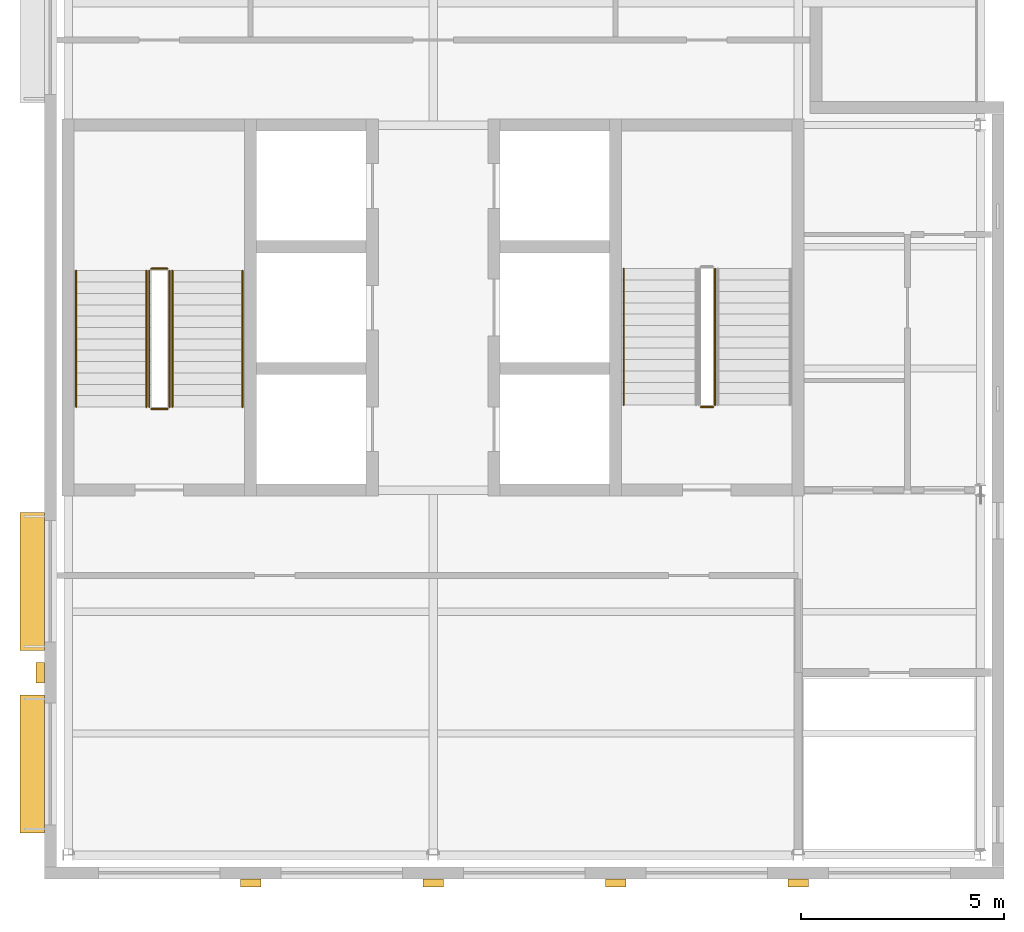
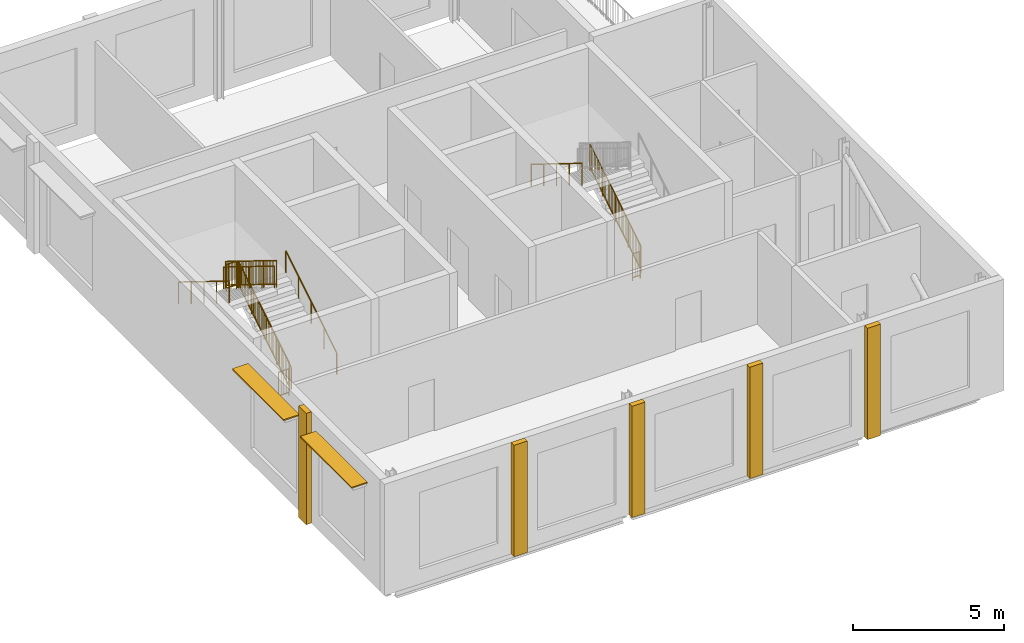
# One storey, part 4 of 5: 11 railings, 5 coverings, 2 shading devices.
"""IFC4 building model written with IfcOpenShell, lengths in metres."""

from ifc_helpers import new_model, si_unit, direction, frame, origin, origin_2d, place, context, subcontext, project, spatial, rectangle, circle, extrude, material, layer, layer_set, type_object, element, save


model = new_model("IFC4")

# Units and contexts
model_context = context("Model", 3, precision=1e-05, world=origin(), true_north=direction((0.0, 1.0)))
body_context = subcontext(model_context, "Body", "Model", "MODEL_VIEW")
ifc_project = project(units=[si_unit("LENGTHUNIT", "METRE"), si_unit("AREAUNIT", "SQUARE_METRE"), si_unit("VOLUMEUNIT", "CUBIC_METRE"), si_unit("PLANEANGLEUNIT", "RADIAN"), si_unit("MASSUNIT", "GRAM", prefix="KILO")], contexts=[model_context])

# Site, building, storey
site_placement = place(None, origin())
site = spatial("IfcSite", under=ifc_project, at=site_placement, CompositionType="ELEMENT")
building_placement = place(site_placement, origin())
building = spatial("IfcBuilding", under=site, at=building_placement, Name="Hortulan Conservatory and Botanical Research Centre", CompositionType="ELEMENT")
storey_placement = place(building_placement, frame((0.0, 0.0, 65.39990234375)))
storey = spatial("IfcBuildingStorey", under=building, at=storey_placement, Name="L15", CompositionType="ELEMENT", Elevation=65.39990234375)

# Shading devices
ifc_material_1 = material(Name="Bronze-finished perforated aluminium", Category="aluminium")
ifc_layer_1 = layer(ifc_material_1, 0.050048828125)
ifc_layer_set_1 = layer_set([ifc_layer_1], Name="Brise-soleil Blade 600x50")
shading_device_type = type_object("IfcShadingDeviceType", Name="Brise-soleil Blade 600x50", PredefinedType="USERDEFINED", material=ifc_layer_set_1)
for number, where, z_axis, x_axis, name in (
    (1, (8.114013671875, 2.25, 3.85009765625), (0.0, 0.0, 1.0), (0.0, 1.0, 0.0), "Brise-soleil blade"),
    (2, (8.114013671875, 6.75, 3.85009765625), (0.0, 0.0, 1.0), (0.0, 1.0, 0.0), "Brise-soleil blade"),
):
    element("IfcShadingDevice", number, at=place(storey_placement, frame(where, z_axis=z_axis, x_axis=x_axis)), inside=storey, type_object=shading_device_type, Name=name, ObjectType="Brise-soleil blade", PredefinedType="USERDEFINED", context=body_context, shape_type="SweptSolid", body=[
        extrude(rectangle(XDim=3.39990234375, YDim=0.60009765625, at=origin_2d()), origin(), (0.0, 0.0, 1.0), 0.050048828125),
    ])

# Railings
ifc_material_2 = material(Name="Steel balustrade, bronze-charcoal paint", Category="steel")
railing_type_1 = type_object("IfcRailingType", Name="Stair Guard 1100", PredefinedType="GUARDRAIL", material=ifc_material_2)
railing_1_placement = place(storey_placement, frame((11.5, 11.050048828125, 0.173095703125)))
element("IfcRailing", 3, at=railing_1_placement, inside=storey, type_object=railing_type_1, Name="Guard T1 L15 stair 1", PredefinedType="GUARDRAIL", context=body_context, shape_type="SweptSolid", body=[
    extrude(circle(Radius=0.02392578125, at=origin_2d()), frame((0.0, 0.0, 1.076171875), z_axis=(0.0, 0.850606129759, 0.525803396734), x_axis=(-1.0, 0.0, 0.0)), (0.0, 0.0, 1.0), 3.949951171875),
    extrude(circle(Radius=0.02392578125, at=origin_2d()), frame((0.0, 0.0, 0.1240234375), z_axis=(0.0, 0.850606129759, 0.525803396734), x_axis=(-1.0, 0.0, 0.0)), (0.0, 0.0, 1.0), 3.949951171875),
    extrude(circle(Radius=0.008056640625, at=origin_2d()), frame((0.0, 0.09326171875, 0.205810546875)), (0.0, 0.0, 1.0), 0.90380859375),
    extrude(circle(Radius=0.008056640625, at=origin_2d()), frame((0.0, 0.186767578125, 0.263671875)), (0.0, 0.0, 1.0), 0.90380859375),
    extrude(circle(Radius=0.008056640625, at=origin_2d()), frame((0.0, 0.280029296875, 0.3212890625)), (0.0, 0.0, 1.0), 0.90380859375),
    extrude(circle(Radius=0.008056640625, at=origin_2d()), frame((0.0, 0.373291015625, 0.37890625)), (0.0, 0.0, 1.0), 0.90380859375),
    extrude(circle(Radius=0.008056640625, at=origin_2d()), frame((0.0, 0.466552734375, 0.436767578125)), (0.0, 0.0, 1.0), 0.90380859375),
    extrude(circle(Radius=0.008056640625, at=origin_2d()), frame((0.0, 0.56005859375, 0.494384765625)), (0.0, 0.0, 1.0), 0.90380859375),
    extrude(circle(Radius=0.008056640625, at=origin_2d()), frame((0.0, 0.6533203125, 0.552001953125)), (0.0, 0.0, 1.0), 0.90380859375),
    extrude(circle(Radius=0.008056640625, at=origin_2d()), frame((0.0, 0.74658203125, 0.609619140625)), (0.0, 0.0, 1.0), 0.90380859375),
    extrude(circle(Radius=0.008056640625, at=origin_2d()), frame((0.0, 0.83984375, 0.66748046875)), (0.0, 0.0, 1.0), 0.90380859375),
    extrude(circle(Radius=0.008056640625, at=origin_2d()), frame((0.0, 0.933349609375, 0.72509765625)), (0.0, 0.0, 1.0), 0.90380859375),
    extrude(circle(Radius=0.008056640625, at=origin_2d()), frame((0.0, 1.026611328125, 0.78271484375)), (0.0, 0.0, 1.0), 0.90380859375),
    extrude(circle(Radius=0.008056640625, at=origin_2d()), frame((0.0, 1.119873046875, 0.840576171875)), (0.0, 0.0, 1.0), 0.90380859375),
    extrude(circle(Radius=0.008056640625, at=origin_2d()), frame((0.0, 1.21337890625, 0.898193359375)), (0.0, 0.0, 1.0), 0.90380859375),
    extrude(circle(Radius=0.008056640625, at=origin_2d()), frame((0.0, 1.306640625, 0.955810546875)), (0.0, 0.0, 1.0), 0.90380859375),
    extrude(circle(Radius=0.008056640625, at=origin_2d()), frame((0.0, 1.39990234375, 1.013671875)), (0.0, 0.0, 1.0), 0.90380859375),
    extrude(circle(Radius=0.008056640625, at=origin_2d()), frame((0.0, 1.4931640625, 1.0712890625)), (0.0, 0.0, 1.0), 0.90380859375),
    extrude(circle(Radius=0.008056640625, at=origin_2d()), frame((0.0, 1.586669921875, 1.12890625)), (0.0, 0.0, 1.0), 0.90380859375),
    extrude(circle(Radius=0.008056640625, at=origin_2d()), frame((0.0, 1.679931640625, 1.1865234375)), (0.0, 0.0, 1.0), 0.90380859375),
    extrude(circle(Radius=0.008056640625, at=origin_2d()), frame((0.0, 1.773193359375, 1.244384765625)), (0.0, 0.0, 1.0), 0.90380859375),
    extrude(circle(Radius=0.008056640625, at=origin_2d()), frame((0.0, 1.86669921875, 1.302001953125)), (0.0, 0.0, 1.0), 0.90380859375),
    extrude(circle(Radius=0.008056640625, at=origin_2d()), frame((0.0, 1.9599609375, 1.359619140625)), (0.0, 0.0, 1.0), 0.90380859375),
    extrude(circle(Radius=0.008056640625, at=origin_2d()), frame((0.0, 2.05322265625, 1.41748046875)), (0.0, 0.0, 1.0), 0.90380859375),
    extrude(circle(Radius=0.008056640625, at=origin_2d()), frame((0.0, 2.146484375, 1.47509765625)), (0.0, 0.0, 1.0), 0.90380859375),
    extrude(circle(Radius=0.008056640625, at=origin_2d()), frame((0.0, 2.239990234375, 1.53271484375)), (0.0, 0.0, 1.0), 0.90380859375),
    extrude(circle(Radius=0.008056640625, at=origin_2d()), frame((0.0, 2.333251953125, 1.590576171875)), (0.0, 0.0, 1.0), 0.90380859375),
    extrude(circle(Radius=0.008056640625, at=origin_2d()), frame((0.0, 2.426513671875, 1.648193359375)), (0.0, 0.0, 1.0), 0.90380859375),
    extrude(circle(Radius=0.008056640625, at=origin_2d()), frame((0.0, 2.52001953125, 1.705810546875)), (0.0, 0.0, 1.0), 0.90380859375),
    extrude(circle(Radius=0.008056640625, at=origin_2d()), frame((0.0, 2.61328125, 1.763671875)), (0.0, 0.0, 1.0), 0.90380859375),
    extrude(circle(Radius=0.008056640625, at=origin_2d()), frame((0.0, 2.70654296875, 1.8212890625)), (0.0, 0.0, 1.0), 0.90380859375),
    extrude(circle(Radius=0.008056640625, at=origin_2d()), frame((0.0, 2.7998046875, 1.87890625)), (0.0, 0.0, 1.0), 0.90380859375),
    extrude(circle(Radius=0.008056640625, at=origin_2d()), frame((0.0, 2.893310546875, 1.9365234375)), (0.0, 0.0, 1.0), 0.90380859375),
    extrude(circle(Radius=0.008056640625, at=origin_2d()), frame((0.0, 2.986572265625, 1.994384765625)), (0.0, 0.0, 1.0), 0.90380859375),
    extrude(circle(Radius=0.008056640625, at=origin_2d()), frame((0.0, 3.079833984375, 2.052001953125)), (0.0, 0.0, 1.0), 0.90380859375),
    extrude(circle(Radius=0.008056640625, at=origin_2d()), frame((0.0, 3.173095703125, 2.109619140625)), (0.0, 0.0, 1.0), 0.90380859375),
    extrude(circle(Radius=0.008056640625, at=origin_2d()), frame((0.0, 3.2666015625, 2.16748046875)), (0.0, 0.0, 1.0), 0.90380859375),
    extrude(circle(Radius=0.02099609375, at=origin_2d()), origin(), (0.0, 0.0, 1.0), 1.052001953125),
    extrude(circle(Radius=0.02099609375, at=origin_2d()), frame((0.0, 0.83984375, 0.519287109375)), (0.0, 0.0, 1.0), 1.052001953125),
    extrude(circle(Radius=0.02099609375, at=origin_2d()), frame((0.0, 1.679931640625, 1.03857421875)), (0.0, 0.0, 1.0), 1.052001953125),
    extrude(circle(Radius=0.02099609375, at=origin_2d()), frame((0.0, 2.52001953125, 1.5576171875)), (0.0, 0.0, 1.0), 1.052001953125),
    extrude(circle(Radius=0.02099609375, at=origin_2d()), frame((0.0, 3.35986328125, 2.076904296875)), (0.0, 0.0, 1.0), 1.052001953125),
])
railing_2_placement = place(storey_placement, frame((11.449951171875, 14.4599609375, 2.25)))
element("IfcRailing", 4, at=railing_2_placement, inside=storey, type_object=railing_type_1, Name="Guard T1 L15 stair 2", PredefinedType="GUARDRAIL", context=body_context, shape_type="SweptSolid", body=[
    extrude(circle(Radius=0.02392578125, at=origin_2d()), frame((0.0, 0.0, 1.076171875), z_axis=(-1.0, 0.0, 0.0), x_axis=(0.0, -1.0, 0.0)), (0.0, 0.0, 1.0), 0.39990234375),
    extrude(circle(Radius=0.02392578125, at=origin_2d()), frame((0.0, 0.0, 0.1240234375), z_axis=(-1.0, 0.0, 0.0), x_axis=(0.0, -1.0, 0.0)), (0.0, 0.0, 1.0), 0.39990234375),
    extrude(circle(Radius=0.008056640625, at=origin_2d()), frame((-0.10009765625, 0.0, 0.148193359375)), (0.0, 0.0, 1.0), 0.90380859375),
    extrude(circle(Radius=0.008056640625, at=origin_2d()), frame((-0.199951171875, 0.0, 0.148193359375)), (0.0, 0.0, 1.0), 0.90380859375),
    extrude(circle(Radius=0.008056640625, at=origin_2d()), frame((-0.2998046875, 0.0, 0.148193359375)), (0.0, 0.0, 1.0), 0.90380859375),
    extrude(circle(Radius=0.02099609375, at=origin_2d()), origin(), (0.0, 0.0, 1.0), 1.052001953125),
    extrude(circle(Radius=0.02099609375, at=origin_2d()), frame((-0.39990234375, 0.0, 0.0)), (0.0, 0.0, 1.0), 1.052001953125),
])
railing_3_placement = place(storey_placement, frame((11.0, 14.409912109375, 2.423095703125)))
element("IfcRailing", 5, at=railing_3_placement, inside=storey, type_object=railing_type_1, Name="Guard T1 L15 stair 3", PredefinedType="GUARDRAIL", context=body_context, shape_type="SweptSolid", body=[
    extrude(circle(Radius=0.02392578125, at=origin_2d()), frame((0.0, 0.0, 1.076171875), z_axis=(0.0, -0.850606129759, 0.525803396734), x_axis=(1.0, 0.0, 0.0)), (0.0, 0.0, 1.0), 3.949951171875),
    extrude(circle(Radius=0.02392578125, at=origin_2d()), frame((0.0, 0.0, 0.1240234375), z_axis=(0.0, -0.850606129759, 0.525803396734), x_axis=(1.0, 0.0, 0.0)), (0.0, 0.0, 1.0), 3.949951171875),
    extrude(circle(Radius=0.008056640625, at=origin_2d()), frame((0.0, -0.09326171875, 0.205810546875)), (0.0, 0.0, 1.0), 0.90380859375),
    extrude(circle(Radius=0.008056640625, at=origin_2d()), frame((0.0, -0.186767578125, 0.263671875)), (0.0, 0.0, 1.0), 0.90380859375),
    extrude(circle(Radius=0.008056640625, at=origin_2d()), frame((0.0, -0.280029296875, 0.3212890625)), (0.0, 0.0, 1.0), 0.90380859375),
    extrude(circle(Radius=0.008056640625, at=origin_2d()), frame((0.0, -0.373291015625, 0.37890625)), (0.0, 0.0, 1.0), 0.90380859375),
    extrude(circle(Radius=0.008056640625, at=origin_2d()), frame((0.0, -0.466552734375, 0.436767578125)), (0.0, 0.0, 1.0), 0.90380859375),
    extrude(circle(Radius=0.008056640625, at=origin_2d()), frame((0.0, -0.56005859375, 0.494384765625)), (0.0, 0.0, 1.0), 0.90380859375),
    extrude(circle(Radius=0.008056640625, at=origin_2d()), frame((0.0, -0.6533203125, 0.552001953125)), (0.0, 0.0, 1.0), 0.90380859375),
    extrude(circle(Radius=0.008056640625, at=origin_2d()), frame((0.0, -0.74658203125, 0.609619140625)), (0.0, 0.0, 1.0), 0.90380859375),
    extrude(circle(Radius=0.008056640625, at=origin_2d()), frame((0.0, -0.83984375, 0.66748046875)), (0.0, 0.0, 1.0), 0.90380859375),
    extrude(circle(Radius=0.008056640625, at=origin_2d()), frame((0.0, -0.933349609375, 0.72509765625)), (0.0, 0.0, 1.0), 0.90380859375),
    extrude(circle(Radius=0.008056640625, at=origin_2d()), frame((0.0, -1.026611328125, 0.78271484375)), (0.0, 0.0, 1.0), 0.90380859375),
    extrude(circle(Radius=0.008056640625, at=origin_2d()), frame((0.0, -1.119873046875, 0.840576171875)), (0.0, 0.0, 1.0), 0.90380859375),
    extrude(circle(Radius=0.008056640625, at=origin_2d()), frame((0.0, -1.21337890625, 0.898193359375)), (0.0, 0.0, 1.0), 0.90380859375),
    extrude(circle(Radius=0.008056640625, at=origin_2d()), frame((0.0, -1.306640625, 0.955810546875)), (0.0, 0.0, 1.0), 0.90380859375),
    extrude(circle(Radius=0.008056640625, at=origin_2d()), frame((0.0, -1.39990234375, 1.013671875)), (0.0, 0.0, 1.0), 0.90380859375),
    extrude(circle(Radius=0.008056640625, at=origin_2d()), frame((0.0, -1.4931640625, 1.0712890625)), (0.0, 0.0, 1.0), 0.90380859375),
    extrude(circle(Radius=0.008056640625, at=origin_2d()), frame((0.0, -1.586669921875, 1.12890625)), (0.0, 0.0, 1.0), 0.90380859375),
    extrude(circle(Radius=0.008056640625, at=origin_2d()), frame((0.0, -1.679931640625, 1.1865234375)), (0.0, 0.0, 1.0), 0.90380859375),
    extrude(circle(Radius=0.008056640625, at=origin_2d()), frame((0.0, -1.773193359375, 1.244384765625)), (0.0, 0.0, 1.0), 0.90380859375),
    extrude(circle(Radius=0.008056640625, at=origin_2d()), frame((0.0, -1.86669921875, 1.302001953125)), (0.0, 0.0, 1.0), 0.90380859375),
    extrude(circle(Radius=0.008056640625, at=origin_2d()), frame((0.0, -1.9599609375, 1.359619140625)), (0.0, 0.0, 1.0), 0.90380859375),
    extrude(circle(Radius=0.008056640625, at=origin_2d()), frame((0.0, -2.05322265625, 1.41748046875)), (0.0, 0.0, 1.0), 0.90380859375),
    extrude(circle(Radius=0.008056640625, at=origin_2d()), frame((0.0, -2.146484375, 1.47509765625)), (0.0, 0.0, 1.0), 0.90380859375),
    extrude(circle(Radius=0.008056640625, at=origin_2d()), frame((0.0, -2.239990234375, 1.53271484375)), (0.0, 0.0, 1.0), 0.90380859375),
    extrude(circle(Radius=0.008056640625, at=origin_2d()), frame((0.0, -2.333251953125, 1.590576171875)), (0.0, 0.0, 1.0), 0.90380859375),
    extrude(circle(Radius=0.008056640625, at=origin_2d()), frame((0.0, -2.426513671875, 1.648193359375)), (0.0, 0.0, 1.0), 0.90380859375),
    extrude(circle(Radius=0.008056640625, at=origin_2d()), frame((0.0, -2.52001953125, 1.705810546875)), (0.0, 0.0, 1.0), 0.90380859375),
    extrude(circle(Radius=0.008056640625, at=origin_2d()), frame((0.0, -2.61328125, 1.763671875)), (0.0, 0.0, 1.0), 0.90380859375),
    extrude(circle(Radius=0.008056640625, at=origin_2d()), frame((0.0, -2.70654296875, 1.8212890625)), (0.0, 0.0, 1.0), 0.90380859375),
    extrude(circle(Radius=0.008056640625, at=origin_2d()), frame((0.0, -2.7998046875, 1.87890625)), (0.0, 0.0, 1.0), 0.90380859375),
    extrude(circle(Radius=0.008056640625, at=origin_2d()), frame((0.0, -2.893310546875, 1.9365234375)), (0.0, 0.0, 1.0), 0.90380859375),
    extrude(circle(Radius=0.008056640625, at=origin_2d()), frame((0.0, -2.986572265625, 1.994384765625)), (0.0, 0.0, 1.0), 0.90380859375),
    extrude(circle(Radius=0.008056640625, at=origin_2d()), frame((0.0, -3.079833984375, 2.052001953125)), (0.0, 0.0, 1.0), 0.90380859375),
    extrude(circle(Radius=0.008056640625, at=origin_2d()), frame((0.0, -3.173095703125, 2.109619140625)), (0.0, 0.0, 1.0), 0.90380859375),
    extrude(circle(Radius=0.008056640625, at=origin_2d()), frame((0.0, -3.2666015625, 2.16748046875)), (0.0, 0.0, 1.0), 0.90380859375),
    extrude(circle(Radius=0.02099609375, at=origin_2d()), origin(), (0.0, 0.0, 1.0), 1.052001953125),
    extrude(circle(Radius=0.02099609375, at=origin_2d()), frame((0.0, -0.83984375, 0.519287109375)), (0.0, 0.0, 1.0), 1.052001953125),
    extrude(circle(Radius=0.02099609375, at=origin_2d()), frame((0.0, -1.679931640625, 1.03857421875)), (0.0, 0.0, 1.0), 1.052001953125),
    extrude(circle(Radius=0.02099609375, at=origin_2d()), frame((0.0, -2.52001953125, 1.5576171875)), (0.0, 0.0, 1.0), 1.052001953125),
    extrude(circle(Radius=0.02099609375, at=origin_2d()), frame((0.0, -3.35986328125, 2.076904296875)), (0.0, 0.0, 1.0), 1.052001953125),
])
railing_4_placement = place(storey_placement, frame((11.449951171875, 11.0, 0.0)))
element("IfcRailing", 6, at=railing_4_placement, inside=storey, type_object=railing_type_1, Name="Guard T1 L15 stair 4", PredefinedType="GUARDRAIL", context=body_context, shape_type="SweptSolid", body=[
    extrude(circle(Radius=0.02392578125, at=origin_2d()), frame((0.0, 0.0, 1.076171875), z_axis=(-1.0, 0.0, 0.0), x_axis=(0.0, -1.0, 0.0)), (0.0, 0.0, 1.0), 0.39990234375),
    extrude(circle(Radius=0.02392578125, at=origin_2d()), frame((0.0, 0.0, 0.1240234375), z_axis=(-1.0, 0.0, 0.0), x_axis=(0.0, -1.0, 0.0)), (0.0, 0.0, 1.0), 0.39990234375),
    extrude(circle(Radius=0.008056640625, at=origin_2d()), frame((-0.10009765625, 0.0, 0.148193359375)), (0.0, 0.0, 1.0), 0.90380859375),
    extrude(circle(Radius=0.008056640625, at=origin_2d()), frame((-0.199951171875, 0.0, 0.148193359375)), (0.0, 0.0, 1.0), 0.90380859375),
    extrude(circle(Radius=0.008056640625, at=origin_2d()), frame((-0.2998046875, 0.0, 0.148193359375)), (0.0, 0.0, 1.0), 0.90380859375),
    extrude(circle(Radius=0.02099609375, at=origin_2d()), origin(), (0.0, 0.0, 1.0), 1.052001953125),
    extrude(circle(Radius=0.02099609375, at=origin_2d()), frame((-0.39990234375, 0.0, 0.0)), (0.0, 0.0, 1.0), 1.052001953125),
])
railing_5_placement = place(storey_placement, frame((24.949951171875, 11.10009765625, 0.173095703125)))
element("IfcRailing", 7, at=railing_5_placement, inside=storey, type_object=railing_type_1, Name="Guard T2 L15 stair 1", PredefinedType="GUARDRAIL", context=body_context, shape_type="SweptSolid", body=[
    extrude(circle(Radius=0.02392578125, at=origin_2d()), frame((0.0, 0.0, 1.076171875), z_axis=(0.0, 0.850606129759, 0.525803396734), x_axis=(-1.0, 0.0, 0.0)), (0.0, 0.0, 1.0), 3.949951171875),
    extrude(circle(Radius=0.02392578125, at=origin_2d()), frame((0.0, 0.0, 0.1240234375), z_axis=(0.0, 0.850606129759, 0.525803396734), x_axis=(-1.0, 0.0, 0.0)), (0.0, 0.0, 1.0), 3.949951171875),
    extrude(circle(Radius=0.008056640625, at=origin_2d()), frame((0.0, 0.09326171875, 0.205810546875)), (0.0, 0.0, 1.0), 0.90380859375),
    extrude(circle(Radius=0.008056640625, at=origin_2d()), frame((0.0, 0.186767578125, 0.263671875)), (0.0, 0.0, 1.0), 0.90380859375),
    extrude(circle(Radius=0.008056640625, at=origin_2d()), frame((0.0, 0.280029296875, 0.3212890625)), (0.0, 0.0, 1.0), 0.90380859375),
    extrude(circle(Radius=0.008056640625, at=origin_2d()), frame((0.0, 0.373291015625, 0.37890625)), (0.0, 0.0, 1.0), 0.90380859375),
    extrude(circle(Radius=0.008056640625, at=origin_2d()), frame((0.0, 0.466552734375, 0.436767578125)), (0.0, 0.0, 1.0), 0.90380859375),
    extrude(circle(Radius=0.008056640625, at=origin_2d()), frame((0.0, 0.56005859375, 0.494384765625)), (0.0, 0.0, 1.0), 0.90380859375),
    extrude(circle(Radius=0.008056640625, at=origin_2d()), frame((0.0, 0.6533203125, 0.552001953125)), (0.0, 0.0, 1.0), 0.90380859375),
    extrude(circle(Radius=0.008056640625, at=origin_2d()), frame((0.0, 0.74658203125, 0.609619140625)), (0.0, 0.0, 1.0), 0.90380859375),
    extrude(circle(Radius=0.008056640625, at=origin_2d()), frame((0.0, 0.83984375, 0.66748046875)), (0.0, 0.0, 1.0), 0.90380859375),
    extrude(circle(Radius=0.008056640625, at=origin_2d()), frame((0.0, 0.933349609375, 0.72509765625)), (0.0, 0.0, 1.0), 0.90380859375),
    extrude(circle(Radius=0.008056640625, at=origin_2d()), frame((0.0, 1.026611328125, 0.78271484375)), (0.0, 0.0, 1.0), 0.90380859375),
    extrude(circle(Radius=0.008056640625, at=origin_2d()), frame((0.0, 1.119873046875, 0.840576171875)), (0.0, 0.0, 1.0), 0.90380859375),
    extrude(circle(Radius=0.008056640625, at=origin_2d()), frame((0.0, 1.21337890625, 0.898193359375)), (0.0, 0.0, 1.0), 0.90380859375),
    extrude(circle(Radius=0.008056640625, at=origin_2d()), frame((0.0, 1.306640625, 0.955810546875)), (0.0, 0.0, 1.0), 0.90380859375),
    extrude(circle(Radius=0.008056640625, at=origin_2d()), frame((0.0, 1.39990234375, 1.013671875)), (0.0, 0.0, 1.0), 0.90380859375),
    extrude(circle(Radius=0.008056640625, at=origin_2d()), frame((0.0, 1.4931640625, 1.0712890625)), (0.0, 0.0, 1.0), 0.90380859375),
    extrude(circle(Radius=0.008056640625, at=origin_2d()), frame((0.0, 1.586669921875, 1.12890625)), (0.0, 0.0, 1.0), 0.90380859375),
    extrude(circle(Radius=0.008056640625, at=origin_2d()), frame((0.0, 1.679931640625, 1.1865234375)), (0.0, 0.0, 1.0), 0.90380859375),
    extrude(circle(Radius=0.008056640625, at=origin_2d()), frame((0.0, 1.773193359375, 1.244384765625)), (0.0, 0.0, 1.0), 0.90380859375),
    extrude(circle(Radius=0.008056640625, at=origin_2d()), frame((0.0, 1.86669921875, 1.302001953125)), (0.0, 0.0, 1.0), 0.90380859375),
    extrude(circle(Radius=0.008056640625, at=origin_2d()), frame((0.0, 1.9599609375, 1.359619140625)), (0.0, 0.0, 1.0), 0.90380859375),
    extrude(circle(Radius=0.008056640625, at=origin_2d()), frame((0.0, 2.05322265625, 1.41748046875)), (0.0, 0.0, 1.0), 0.90380859375),
    extrude(circle(Radius=0.008056640625, at=origin_2d()), frame((0.0, 2.146484375, 1.47509765625)), (0.0, 0.0, 1.0), 0.90380859375),
    extrude(circle(Radius=0.008056640625, at=origin_2d()), frame((0.0, 2.239990234375, 1.53271484375)), (0.0, 0.0, 1.0), 0.90380859375),
    extrude(circle(Radius=0.008056640625, at=origin_2d()), frame((0.0, 2.333251953125, 1.590576171875)), (0.0, 0.0, 1.0), 0.90380859375),
    extrude(circle(Radius=0.008056640625, at=origin_2d()), frame((0.0, 2.426513671875, 1.648193359375)), (0.0, 0.0, 1.0), 0.90380859375),
    extrude(circle(Radius=0.008056640625, at=origin_2d()), frame((0.0, 2.52001953125, 1.705810546875)), (0.0, 0.0, 1.0), 0.90380859375),
    extrude(circle(Radius=0.008056640625, at=origin_2d()), frame((0.0, 2.61328125, 1.763671875)), (0.0, 0.0, 1.0), 0.90380859375),
    extrude(circle(Radius=0.008056640625, at=origin_2d()), frame((0.0, 2.70654296875, 1.8212890625)), (0.0, 0.0, 1.0), 0.90380859375),
    extrude(circle(Radius=0.008056640625, at=origin_2d()), frame((0.0, 2.7998046875, 1.87890625)), (0.0, 0.0, 1.0), 0.90380859375),
    extrude(circle(Radius=0.008056640625, at=origin_2d()), frame((0.0, 2.893310546875, 1.9365234375)), (0.0, 0.0, 1.0), 0.90380859375),
    extrude(circle(Radius=0.008056640625, at=origin_2d()), frame((0.0, 2.986572265625, 1.994384765625)), (0.0, 0.0, 1.0), 0.90380859375),
    extrude(circle(Radius=0.008056640625, at=origin_2d()), frame((0.0, 3.079833984375, 2.052001953125)), (0.0, 0.0, 1.0), 0.90380859375),
    extrude(circle(Radius=0.008056640625, at=origin_2d()), frame((0.0, 3.173095703125, 2.109619140625)), (0.0, 0.0, 1.0), 0.90380859375),
    extrude(circle(Radius=0.008056640625, at=origin_2d()), frame((0.0, 3.2666015625, 2.16748046875)), (0.0, 0.0, 1.0), 0.90380859375),
    extrude(circle(Radius=0.02099609375, at=origin_2d()), origin(), (0.0, 0.0, 1.0), 1.052001953125),
    extrude(circle(Radius=0.02099609375, at=origin_2d()), frame((0.0, 0.83984375, 0.519287109375)), (0.0, 0.0, 1.0), 1.052001953125),
    extrude(circle(Radius=0.02099609375, at=origin_2d()), frame((0.0, 1.679931640625, 1.03857421875)), (0.0, 0.0, 1.0), 1.052001953125),
    extrude(circle(Radius=0.02099609375, at=origin_2d()), frame((0.0, 2.52001953125, 1.5576171875)), (0.0, 0.0, 1.0), 1.052001953125),
    extrude(circle(Radius=0.02099609375, at=origin_2d()), frame((0.0, 3.35986328125, 2.076904296875)), (0.0, 0.0, 1.0), 1.052001953125),
])
railing_6_placement = place(storey_placement, frame((24.89990234375, 11.050048828125, 0.0)))
element("IfcRailing", 8, at=railing_6_placement, inside=storey, type_object=railing_type_1, Name="Guard T2 L15 stair 4", PredefinedType="GUARDRAIL", context=body_context, shape_type="SweptSolid", body=[
    extrude(circle(Radius=0.02392578125, at=origin_2d()), frame((0.0, 0.0, 1.076171875), z_axis=(-1.0, 0.0, 0.0), x_axis=(0.0, -1.0, 0.0)), (0.0, 0.0, 1.0), 0.2998046875),
    extrude(circle(Radius=0.02392578125, at=origin_2d()), frame((0.0, 0.0, 0.1240234375), z_axis=(-1.0, 0.0, 0.0), x_axis=(0.0, -1.0, 0.0)), (0.0, 0.0, 1.0), 0.2998046875),
    extrude(circle(Radius=0.008056640625, at=origin_2d()), frame((-0.099853515625, 0.0, 0.148193359375)), (0.0, 0.0, 1.0), 0.90380859375),
    extrude(circle(Radius=0.008056640625, at=origin_2d()), frame((-0.199951171875, 0.0, 0.148193359375)), (0.0, 0.0, 1.0), 0.90380859375),
    extrude(circle(Radius=0.02099609375, at=origin_2d()), origin(), (0.0, 0.0, 1.0), 1.052001953125),
    extrude(circle(Radius=0.02099609375, at=origin_2d()), frame((-0.2998046875, 0.0, 0.0)), (0.0, 0.0, 1.0), 1.052001953125),
])
ifc_material_3 = material(Name="Bronze handrail, polished", Category="metal")
railing_type_2 = type_object("IfcRailingType", Name="Stair Handrail 900", PredefinedType="HANDRAIL", material=ifc_material_3)
railing_7_placement = place(storey_placement, frame((13.300048828125, 11.050048828125, 0.173095703125)))
element("IfcRailing", 9, at=railing_7_placement, inside=storey, type_object=railing_type_2, Name="Handrail T1 L15 stair 1", PredefinedType="HANDRAIL", context=body_context, shape_type="SweptSolid", body=[
    extrude(circle(Radius=0.02392578125, at=origin_2d()), frame((0.0, 0.0, 0.8759765625), z_axis=(0.0, 0.850606129759, 0.525803396734), x_axis=(-1.0, 0.0, 0.0)), (0.0, 0.0, 1.0), 3.949951171875),
    extrude(circle(Radius=0.02099609375, at=origin_2d()), origin(), (0.0, 0.0, 1.0), 0.851806640625),
    extrude(circle(Radius=0.02099609375, at=origin_2d()), frame((0.0, 0.83984375, 0.519287109375)), (0.0, 0.0, 1.0), 0.851806640625),
    extrude(circle(Radius=0.02099609375, at=origin_2d()), frame((0.0, 1.679931640625, 1.03857421875)), (0.0, 0.0, 1.0), 0.851806640625),
    extrude(circle(Radius=0.02099609375, at=origin_2d()), frame((0.0, 2.52001953125, 1.5576171875)), (0.0, 0.0, 1.0), 0.851806640625),
    extrude(circle(Radius=0.02099609375, at=origin_2d()), frame((0.0, 3.35986328125, 2.076904296875)), (0.0, 0.0, 1.0), 0.851806640625),
])
railing_8_placement = place(storey_placement, frame((9.199951171875, 14.409912109375, 2.423095703125)))
element("IfcRailing", 10, at=railing_8_placement, inside=storey, type_object=railing_type_2, Name="Handrail T1 L15 stair 2", PredefinedType="HANDRAIL", context=body_context, shape_type="SweptSolid", body=[
    extrude(circle(Radius=0.02392578125, at=origin_2d()), frame((0.0, 0.0, 0.8759765625), z_axis=(0.0, -0.850606129759, 0.525803396734), x_axis=(1.0, 0.0, 0.0)), (0.0, 0.0, 1.0), 3.949951171875),
    extrude(circle(Radius=0.02099609375, at=origin_2d()), origin(), (0.0, 0.0, 1.0), 0.851806640625),
    extrude(circle(Radius=0.02099609375, at=origin_2d()), frame((0.0, -0.83984375, 0.519287109375)), (0.0, 0.0, 1.0), 0.851806640625),
    extrude(circle(Radius=0.02099609375, at=origin_2d()), frame((0.0, -1.679931640625, 1.03857421875)), (0.0, 0.0, 1.0), 0.851806640625),
    extrude(circle(Radius=0.02099609375, at=origin_2d()), frame((0.0, -2.52001953125, 1.5576171875)), (0.0, 0.0, 1.0), 0.851806640625),
    extrude(circle(Radius=0.02099609375, at=origin_2d()), frame((0.0, -3.35986328125, 2.076904296875)), (0.0, 0.0, 1.0), 0.851806640625),
])
railing_9_placement = place(storey_placement, frame((11.570068359375, 11.050048828125, 0.173095703125)))
element("IfcRailing", 11, at=railing_9_placement, inside=storey, type_object=railing_type_2, Name="Handrail T1 L15 stair 3", PredefinedType="HANDRAIL", context=body_context, shape_type="SweptSolid", body=[
    extrude(circle(Radius=0.02392578125, at=origin_2d()), frame((0.0, 0.0, 0.8759765625), z_axis=(0.0, 0.850606129759, 0.525803396734), x_axis=(-1.0, 0.0, 0.0)), (0.0, 0.0, 1.0), 3.949951171875),
    extrude(circle(Radius=0.02099609375, at=origin_2d()), origin(), (0.0, 0.0, 1.0), 0.851806640625),
    extrude(circle(Radius=0.02099609375, at=origin_2d()), frame((0.0, 0.83984375, 0.519287109375)), (0.0, 0.0, 1.0), 0.851806640625),
    extrude(circle(Radius=0.02099609375, at=origin_2d()), frame((0.0, 1.679931640625, 1.03857421875)), (0.0, 0.0, 1.0), 0.851806640625),
    extrude(circle(Radius=0.02099609375, at=origin_2d()), frame((0.0, 2.52001953125, 1.5576171875)), (0.0, 0.0, 1.0), 0.851806640625),
    extrude(circle(Radius=0.02099609375, at=origin_2d()), frame((0.0, 3.35986328125, 2.076904296875)), (0.0, 0.0, 1.0), 0.851806640625),
])
for number, where, name in (
    (12, (10.929931640625, 14.409912109375, 2.423095703125), "Handrail T1 L15 stair 4"),
    (13, (22.699951171875, 14.4599609375, 2.423095703125), "Handrail T2 L15 stair 2"),
):
    element("IfcRailing", number, at=place(storey_placement, frame(where)), inside=storey, type_object=railing_type_2, Name=name, PredefinedType="HANDRAIL", context=body_context, shape_type="SweptSolid", body=[
        extrude(circle(Radius=0.02392578125, at=origin_2d()), frame((0.0, 0.0, 0.8759765625), z_axis=(0.0, -0.850606129759, 0.525803396734), x_axis=(1.0, 0.0, 0.0)), (0.0, 0.0, 1.0), 3.949951171875),
        extrude(circle(Radius=0.02099609375, at=origin_2d()), origin(), (0.0, 0.0, 1.0), 0.851806640625),
        extrude(circle(Radius=0.02099609375, at=origin_2d()), frame((0.0, -0.83984375, 0.519287109375)), (0.0, 0.0, 1.0), 0.851806640625),
        extrude(circle(Radius=0.02099609375, at=origin_2d()), frame((0.0, -1.679931640625, 1.03857421875)), (0.0, 0.0, 1.0), 0.851806640625),
        extrude(circle(Radius=0.02099609375, at=origin_2d()), frame((0.0, -2.52001953125, 1.5576171875)), (0.0, 0.0, 1.0), 0.851806640625),
        extrude(circle(Radius=0.02099609375, at=origin_2d()), frame((0.0, -3.35986328125, 2.076904296875)), (0.0, 0.0, 1.0), 0.851806640625),
    ])

# Coverings
ifc_material_4 = material(Name="Verdigris copper-green zinc cladding on lightweight framing", Category="metal")
ifc_layer_2 = layer(ifc_material_4, 0.199951171875)
ifc_layer_set_2 = layer_set([ifc_layer_2], Name="Verdigris Zinc Pilaster 500x200")
covering_type = type_object("IfcCoveringType", Name="Verdigris Zinc Pilaster 500x200", PredefinedType="CLADDING", material=ifc_layer_set_2)
for number, where, z_axis, x_axis, name in (
    (14, (27.0, -0.68603515625, 0.0), (0.0, 0.0, 1.0), (-1.0, 0.0, 0.0), "Pier"),
    (15, (22.5, -0.68603515625, 0.0), (0.0, 0.0, 1.0), (-1.0, 0.0, 0.0), "Pier"),
    (16, (18.0, -0.68603515625, 0.0), (0.0, 0.0, 1.0), (-1.0, 0.0, 0.0), "Pier"),
    (17, (13.5, -0.68603515625, 0.0), (0.0, 0.0, 1.0), (-1.0, 0.0, 0.0), "Pier"),
    (18, (8.31396484375, 4.5, 0.0), (0.0, 0.0, 1.0), (0.0, 1.0, 0.0), "Pier"),
):
    element("IfcCovering", number, at=place(storey_placement, frame(where, z_axis=z_axis, x_axis=x_axis)), inside=storey, type_object=covering_type, Name=name, PredefinedType="CLADDING", context=body_context, shape_type="SweptSolid", body=[
        extrude(rectangle(XDim=0.5, YDim=0.199951171875, at=origin_2d()), origin(), (0.0, 0.0, 1.0), 4.5),
    ])

save(model, "model.ifc")
